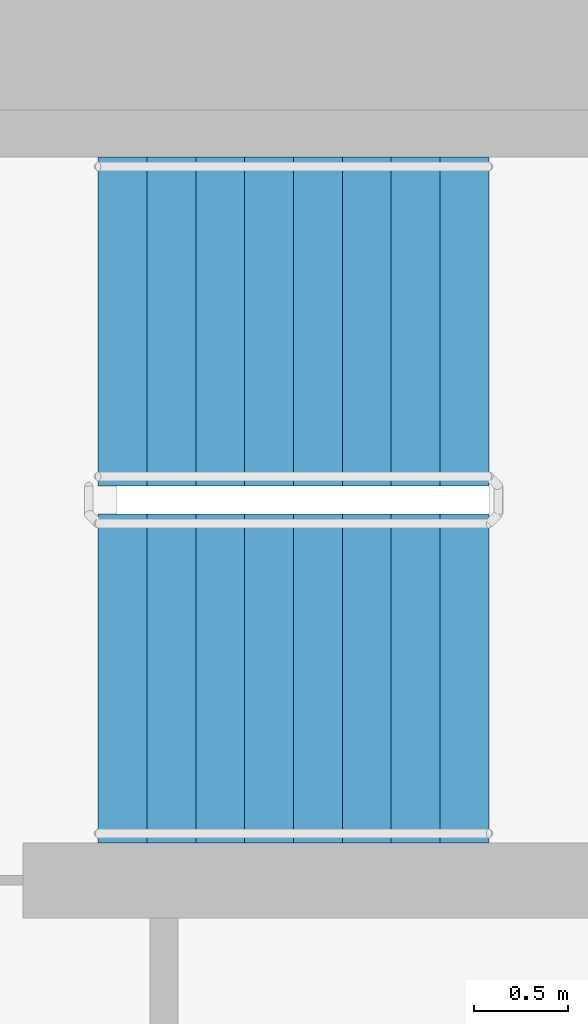
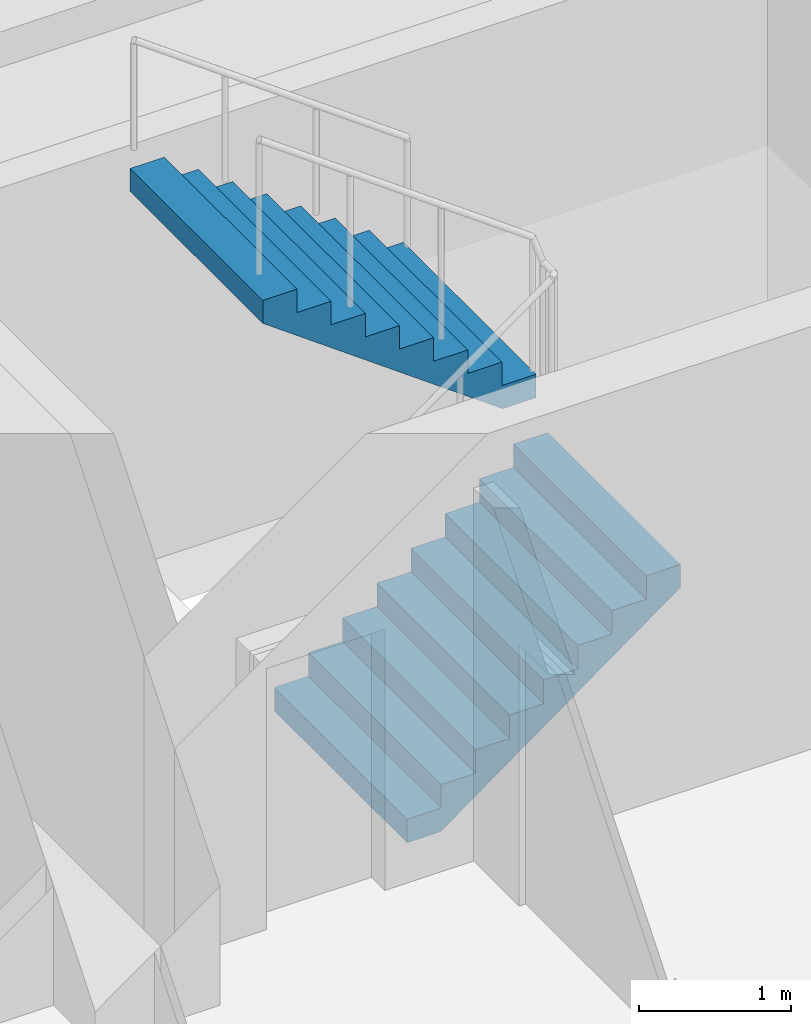
# One storey, part 16 of 21: 2 stair flights, 1 element without a shape of its own.
"""IFC4 building model written with IfcOpenShell, lengths in metres."""

from ifc_helpers import new_model, si_unit, direction, frame, origin, place, context, subcontext, project, spatial, faceted_brep, material, type_object, element, aggregate, save


model = new_model("IFC4")

# Units and contexts
model_context = context("Model", 3, precision=1e-05, world=origin(), true_north=direction((0.0, 1.0)))
body_context = subcontext(model_context, "Body", "Model", "MODEL_VIEW")
ifc_project = project(units=[si_unit("LENGTHUNIT", "METRE"), si_unit("AREAUNIT", "SQUARE_METRE"), si_unit("VOLUMEUNIT", "CUBIC_METRE"), si_unit("PLANEANGLEUNIT", "RADIAN"), si_unit("MASSUNIT", "GRAM", prefix="KILO")], contexts=[model_context])

# Site, building, storey
site_placement = place(None, origin())
site = spatial("IfcSite", under=ifc_project, at=site_placement, CompositionType="ELEMENT")
building_placement = place(site_placement, origin())
building = spatial("IfcBuilding", under=site, at=building_placement, Name="Ipe Terrace Towers", CompositionType="ELEMENT")
storey_placement = place(building_placement, frame((0.0, 0.0, 83.39990234375)))
storey = spatial("IfcBuildingStorey", under=building, at=storey_placement, Name="L22", CompositionType="ELEMENT", Elevation=83.39990234375)

# Stair, stair flights
ifc_material_1 = material(Name="Concrete C30/37", Category="concrete")
stair_type = type_object("IfcStairType", Name="Protected exit stair", PredefinedType="HALF_TURN_STAIR", material=ifc_material_1)
stair_placement = place(storey_placement, origin())
stair = element("IfcStair", 1, at=stair_placement, inside=storey, type_object=stair_type, Name="L22 Exit stair T1-C1", PredefinedType="HALF_TURN_STAIR")
ifc_material_2 = material(Name="Concrete C30/37", Category="concrete")
stair_flight_type = type_object("IfcStairFlightType", Name="Exit stair flight 1750", PredefinedType="STRAIGHT", material=ifc_material_2)
stair_flight_1_placement = place(storey_placement, frame((-26.300048828125, 2.77490234375, 0.0), z_axis=(0.0, 0.0, 1.0), x_axis=(1.0, 0.0, 0.0)))
stair_flight_1 = element("IfcStairFlight", 2, at=stair_flight_1_placement, type_object=stair_flight_type, Name="T1-ST1 flight 1", NumberOfRisers=9, NumberOfTreads=8, PredefinedType="STRAIGHT", RiserHeight=0.188888889, TreadLength=0.26, context=body_context, shape_type="Brep", body=[
    faceted_brep([(0.255126953125, -0.875, 0.0), (2.080078125, -0.875, 1.325927734375), (2.080078125, -0.875, 1.51123046875), (1.820068359375, -0.875, 1.51123046875), (1.820068359375, -0.875, 1.322265625), (1.56005859375, -0.875, 1.322265625), (1.56005859375, -0.875, 1.13330078125), (1.300048828125, -0.875, 1.13330078125), (1.300048828125, -0.875, 0.9443359375), (1.0400390625, -0.875, 0.9443359375), (1.0400390625, -0.875, 0.755615234375), (0.780029296875, -0.875, 0.755615234375), (0.780029296875, -0.875, 0.566650390625), (0.52001953125, -0.875, 0.566650390625), (0.52001953125, -0.875, 0.377685546875), (0.260009765625, -0.875, 0.377685546875), (0.260009765625, -0.875, 0.18896484375), (0.0, -0.875, 0.18896484375), (0.0, -0.875, 0.0), (0.0, 0.875, 0.0), (0.0, 0.875, 0.18896484375), (0.260009765625, 0.875, 0.18896484375), (0.260009765625, 0.875, 0.377685546875), (0.52001953125, 0.875, 0.377685546875), (0.52001953125, 0.875, 0.566650390625), (0.780029296875, 0.875, 0.566650390625), (0.780029296875, 0.875, 0.755615234375), (1.0400390625, 0.875, 0.755615234375), (1.0400390625, 0.875, 0.9443359375), (1.300048828125, 0.875, 0.9443359375), (1.300048828125, 0.875, 1.13330078125), (1.56005859375, 0.875, 1.13330078125), (1.56005859375, 0.875, 1.322265625), (1.820068359375, 0.875, 1.322265625), (1.820068359375, 0.875, 1.51123046875), (2.080078125, 0.875, 1.51123046875), (2.080078125, 0.875, 1.325927734375), (0.255126953125, 0.875, 0.0), (0.0, -0.300048828125, 0.18896484375), (0.0, -0.1201171875, 0.18896484375), (0.0, -0.06005859375, 0.18896484375), (0.0, -0.030029296875, 0.18896484375), (0.0, -0.010009765625, 0.18896484375), (0.0, 0.0, 0.18896484375), (0.0, 0.010009765625, 0.18896484375), (0.0, 0.030029296875, 0.18896484375), (0.0, 0.06005859375, 0.18896484375), (0.0, 0.1201171875, 0.18896484375), (0.0, 0.300048828125, 0.18896484375), (0.0, 0.300048828125, 0.0), (0.0, 0.1201171875, 0.0), (0.0, 0.06005859375, 0.0), (0.0, 0.030029296875, 0.0), (0.0, 0.010009765625, 0.0), (0.0, 0.0, 0.0), (0.0, -0.010009765625, 0.0), (0.0, -0.030029296875, 0.0), (0.0, -0.06005859375, 0.0), (0.0, -0.1201171875, 0.0), (0.0, -0.300048828125, 0.0), (0.260009765625, -0.300048828125, 0.18896484375), (0.260009765625, -0.1201171875, 0.18896484375), (0.260009765625, -0.06005859375, 0.18896484375), (0.260009765625, -0.030029296875, 0.18896484375), (0.260009765625, -0.010009765625, 0.18896484375), (0.260009765625, 0.0, 0.18896484375), (0.260009765625, 0.010009765625, 0.18896484375), (0.260009765625, 0.030029296875, 0.18896484375), (0.260009765625, 0.06005859375, 0.18896484375), (0.260009765625, 0.1201171875, 0.18896484375), (0.260009765625, 0.300048828125, 0.18896484375), (0.260009765625, -0.300048828125, 0.377685546875), (0.260009765625, -0.1201171875, 0.377685546875), (0.260009765625, -0.06005859375, 0.377685546875), (0.260009765625, -0.030029296875, 0.377685546875), (0.260009765625, -0.010009765625, 0.377685546875), (0.260009765625, 0.0, 0.377685546875), (0.260009765625, 0.010009765625, 0.377685546875), (0.260009765625, 0.030029296875, 0.377685546875), (0.260009765625, 0.06005859375, 0.377685546875), (0.260009765625, 0.1201171875, 0.377685546875), (0.260009765625, 0.300048828125, 0.377685546875), (0.52001953125, -0.300048828125, 0.377685546875), (0.52001953125, -0.1201171875, 0.377685546875), (0.52001953125, -0.06005859375, 0.377685546875), (0.52001953125, -0.030029296875, 0.377685546875), (0.52001953125, -0.010009765625, 0.377685546875), (0.52001953125, 0.0, 0.377685546875), (0.52001953125, 0.010009765625, 0.377685546875), (0.52001953125, 0.030029296875, 0.377685546875), (0.52001953125, 0.06005859375, 0.377685546875), (0.52001953125, 0.1201171875, 0.377685546875), (0.52001953125, 0.300048828125, 0.377685546875), (0.52001953125, -0.300048828125, 0.566650390625), (0.52001953125, -0.1201171875, 0.566650390625), (0.52001953125, -0.06005859375, 0.566650390625), (0.52001953125, -0.030029296875, 0.566650390625), (0.52001953125, -0.010009765625, 0.566650390625), (0.52001953125, 0.0, 0.566650390625), (0.52001953125, 0.010009765625, 0.566650390625), (0.52001953125, 0.030029296875, 0.566650390625), (0.52001953125, 0.06005859375, 0.566650390625), (0.52001953125, 0.1201171875, 0.566650390625), (0.52001953125, 0.300048828125, 0.566650390625), (0.780029296875, -0.300048828125, 0.566650390625), (0.780029296875, -0.1201171875, 0.566650390625), (0.780029296875, -0.06005859375, 0.566650390625), (0.780029296875, -0.030029296875, 0.566650390625), (0.780029296875, -0.010009765625, 0.566650390625), (0.780029296875, 0.0, 0.566650390625), (0.780029296875, 0.010009765625, 0.566650390625), (0.780029296875, 0.030029296875, 0.566650390625), (0.780029296875, 0.06005859375, 0.566650390625), (0.780029296875, 0.1201171875, 0.566650390625), (0.780029296875, 0.300048828125, 0.566650390625), (0.780029296875, -0.300048828125, 0.755615234375), (0.780029296875, -0.1201171875, 0.755615234375), (0.780029296875, -0.06005859375, 0.755615234375), (0.780029296875, -0.030029296875, 0.755615234375), (0.780029296875, -0.010009765625, 0.755615234375), (0.780029296875, 0.0, 0.755615234375), (0.780029296875, 0.010009765625, 0.755615234375), (0.780029296875, 0.030029296875, 0.755615234375), (0.780029296875, 0.06005859375, 0.755615234375), (0.780029296875, 0.1201171875, 0.755615234375), (0.780029296875, 0.300048828125, 0.755615234375), (1.0400390625, -0.300048828125, 0.755615234375), (1.0400390625, -0.1201171875, 0.755615234375), (1.0400390625, -0.06005859375, 0.755615234375), (1.0400390625, -0.030029296875, 0.755615234375), (1.0400390625, -0.010009765625, 0.755615234375), (1.0400390625, 0.0, 0.755615234375), (1.0400390625, 0.010009765625, 0.755615234375), (1.0400390625, 0.030029296875, 0.755615234375), (1.0400390625, 0.06005859375, 0.755615234375), (1.0400390625, 0.1201171875, 0.755615234375), (1.0400390625, 0.300048828125, 0.755615234375), (1.0400390625, -0.300048828125, 0.9443359375), (1.0400390625, -0.1201171875, 0.9443359375), (1.0400390625, -0.06005859375, 0.9443359375), (1.0400390625, -0.030029296875, 0.9443359375), (1.0400390625, -0.010009765625, 0.9443359375), (1.0400390625, 0.0, 0.9443359375), (1.0400390625, 0.010009765625, 0.9443359375), (1.0400390625, 0.030029296875, 0.9443359375), (1.0400390625, 0.06005859375, 0.9443359375), (1.0400390625, 0.1201171875, 0.9443359375), (1.0400390625, 0.300048828125, 0.9443359375), (1.300048828125, -0.300048828125, 0.9443359375), (1.300048828125, -0.1201171875, 0.9443359375), (1.300048828125, -0.06005859375, 0.9443359375), (1.300048828125, -0.030029296875, 0.9443359375), (1.300048828125, -0.010009765625, 0.9443359375), (1.300048828125, 0.0, 0.9443359375), (1.300048828125, 0.010009765625, 0.9443359375), (1.300048828125, 0.030029296875, 0.9443359375), (1.300048828125, 0.06005859375, 0.9443359375), (1.300048828125, 0.1201171875, 0.9443359375), (1.300048828125, 0.300048828125, 0.9443359375), (1.300048828125, -0.300048828125, 1.13330078125), (1.300048828125, -0.1201171875, 1.13330078125), (1.300048828125, -0.06005859375, 1.13330078125), (1.300048828125, -0.030029296875, 1.13330078125), (1.300048828125, -0.010009765625, 1.13330078125), (1.300048828125, 0.0, 1.13330078125), (1.300048828125, 0.010009765625, 1.13330078125), (1.300048828125, 0.030029296875, 1.13330078125), (1.300048828125, 0.06005859375, 1.13330078125), (1.300048828125, 0.1201171875, 1.13330078125), (1.300048828125, 0.300048828125, 1.13330078125), (1.56005859375, -0.300048828125, 1.13330078125), (1.56005859375, -0.1201171875, 1.13330078125), (1.56005859375, -0.06005859375, 1.13330078125), (1.56005859375, -0.030029296875, 1.13330078125), (1.56005859375, -0.010009765625, 1.13330078125), (1.56005859375, 0.0, 1.13330078125), (1.56005859375, 0.010009765625, 1.13330078125), (1.56005859375, 0.030029296875, 1.13330078125), (1.56005859375, 0.06005859375, 1.13330078125), (1.56005859375, 0.1201171875, 1.13330078125), (1.56005859375, 0.300048828125, 1.13330078125), (1.56005859375, -0.300048828125, 1.322265625), (1.56005859375, -0.1201171875, 1.322265625), (1.56005859375, -0.06005859375, 1.322265625), (1.56005859375, -0.030029296875, 1.322265625), (1.56005859375, -0.010009765625, 1.322265625), (1.56005859375, 0.0, 1.322265625), (1.56005859375, 0.010009765625, 1.322265625), (1.56005859375, 0.030029296875, 1.322265625), (1.56005859375, 0.06005859375, 1.322265625), (1.56005859375, 0.1201171875, 1.322265625), (1.56005859375, 0.300048828125, 1.322265625), (1.820068359375, -0.300048828125, 1.322265625), (1.820068359375, -0.1201171875, 1.322265625), (1.820068359375, -0.06005859375, 1.322265625), (1.820068359375, -0.030029296875, 1.322265625), (1.820068359375, -0.010009765625, 1.322265625), (1.820068359375, 0.0, 1.322265625), (1.820068359375, 0.010009765625, 1.322265625), (1.820068359375, 0.030029296875, 1.322265625), (1.820068359375, 0.06005859375, 1.322265625), (1.820068359375, 0.1201171875, 1.322265625), (1.820068359375, 0.300048828125, 1.322265625), (1.820068359375, -0.300048828125, 1.51123046875), (1.820068359375, -0.1201171875, 1.51123046875), (1.820068359375, -0.06005859375, 1.51123046875), (1.820068359375, -0.030029296875, 1.51123046875), (1.820068359375, -0.010009765625, 1.51123046875), (1.820068359375, 0.0, 1.51123046875), (1.820068359375, 0.010009765625, 1.51123046875), (1.820068359375, 0.030029296875, 1.51123046875), (1.820068359375, 0.06005859375, 1.51123046875), (1.820068359375, 0.1201171875, 1.51123046875), (1.820068359375, 0.300048828125, 1.51123046875), (2.080078125, -0.300048828125, 1.51123046875), (2.080078125, -0.1201171875, 1.51123046875), (2.080078125, -0.06005859375, 1.51123046875), (2.080078125, -0.030029296875, 1.51123046875), (2.080078125, -0.010009765625, 1.51123046875), (2.080078125, 0.0, 1.51123046875), (2.080078125, 0.010009765625, 1.51123046875), (2.080078125, 0.030029296875, 1.51123046875), (2.080078125, 0.06005859375, 1.51123046875), (2.080078125, 0.1201171875, 1.51123046875), (2.080078125, 0.300048828125, 1.51123046875), (2.080078125, -0.300048828125, 1.325927734375), (2.080078125, -0.1201171875, 1.325927734375), (2.080078125, -0.06005859375, 1.325927734375), (2.080078125, -0.030029296875, 1.325927734375), (2.080078125, -0.010009765625, 1.325927734375), (2.080078125, 0.0, 1.325927734375), (2.080078125, 0.010009765625, 1.325927734375), (2.080078125, 0.030029296875, 1.325927734375), (2.080078125, 0.06005859375, 1.325927734375), (2.080078125, 0.1201171875, 1.325927734375), (2.080078125, 0.300048828125, 1.325927734375), (0.255126953125, -0.300048828125, 0.0), (0.255126953125, -0.1201171875, 0.0), (0.255126953125, -0.06005859375, 0.0), (0.255126953125, -0.030029296875, 0.0), (0.255126953125, -0.010009765625, 0.0), (0.255126953125, 0.0, 0.0), (0.255126953125, 0.010009765625, 0.0), (0.255126953125, 0.030029296875, 0.0), (0.255126953125, 0.06005859375, 0.0), (0.255126953125, 0.1201171875, 0.0), (0.255126953125, 0.300048828125, 0.0)], [[[0, 1, 2, 3, 4, 5, 6, 7, 8, 9, 10, 11, 12, 13, 14, 15, 16, 17, 18]], [[19, 20, 21, 22, 23, 24, 25, 26, 27, 28, 29, 30, 31, 32, 33, 34, 35, 36, 37]], [[17, 38, 39, 40, 41, 42, 43, 44, 45, 46, 47, 48, 20, 19, 49, 50, 51, 52, 53, 54, 55, 56, 57, 58, 59, 18]], [[16, 60, 61, 62, 63, 64, 65, 66, 67, 68, 69, 70, 21, 20, 48, 47, 46, 45, 44, 43, 42, 41, 40, 39, 38, 17]], [[15, 71, 72, 73, 74, 75, 76, 77, 78, 79, 80, 81, 22, 21, 70, 69, 68, 67, 66, 65, 64, 63, 62, 61, 60, 16]], [[14, 82, 83, 84, 85, 86, 87, 88, 89, 90, 91, 92, 23, 22, 81, 80, 79, 78, 77, 76, 75, 74, 73, 72, 71, 15]], [[13, 93, 94, 95, 96, 97, 98, 99, 100, 101, 102, 103, 24, 23, 92, 91, 90, 89, 88, 87, 86, 85, 84, 83, 82, 14]], [[12, 104, 105, 106, 107, 108, 109, 110, 111, 112, 113, 114, 25, 24, 103, 102, 101, 100, 99, 98, 97, 96, 95, 94, 93, 13]], [[11, 115, 116, 117, 118, 119, 120, 121, 122, 123, 124, 125, 26, 25, 114, 113, 112, 111, 110, 109, 108, 107, 106, 105, 104, 12]], [[10, 126, 127, 128, 129, 130, 131, 132, 133, 134, 135, 136, 27, 26, 125, 124, 123, 122, 121, 120, 119, 118, 117, 116, 115, 11]], [[9, 137, 138, 139, 140, 141, 142, 143, 144, 145, 146, 147, 28, 27, 136, 135, 134, 133, 132, 131, 130, 129, 128, 127, 126, 10]], [[8, 148, 149, 150, 151, 152, 153, 154, 155, 156, 157, 158, 29, 28, 147, 146, 145, 144, 143, 142, 141, 140, 139, 138, 137, 9]], [[7, 159, 160, 161, 162, 163, 164, 165, 166, 167, 168, 169, 30, 29, 158, 157, 156, 155, 154, 153, 152, 151, 150, 149, 148, 8]], [[6, 170, 171, 172, 173, 174, 175, 176, 177, 178, 179, 180, 31, 30, 169, 168, 167, 166, 165, 164, 163, 162, 161, 160, 159, 7]], [[5, 181, 182, 183, 184, 185, 186, 187, 188, 189, 190, 191, 32, 31, 180, 179, 178, 177, 176, 175, 174, 173, 172, 171, 170, 6]], [[4, 192, 193, 194, 195, 196, 197, 198, 199, 200, 201, 202, 33, 32, 191, 190, 189, 188, 187, 186, 185, 184, 183, 182, 181, 5]], [[3, 203, 204, 205, 206, 207, 208, 209, 210, 211, 212, 213, 34, 33, 202, 201, 200, 199, 198, 197, 196, 195, 194, 193, 192, 4]], [[2, 214, 215, 216, 217, 218, 219, 220, 221, 222, 223, 224, 35, 34, 213, 212, 211, 210, 209, 208, 207, 206, 205, 204, 203, 3]], [[1, 225, 226, 227, 228, 229, 230, 231, 232, 233, 234, 235, 36, 35, 224, 223, 222, 221, 220, 219, 218, 217, 216, 215, 214, 2]], [[0, 236, 237, 238, 239, 240, 241, 242, 243, 244, 245, 246, 37, 36, 235, 234, 233, 232, 231, 230, 229, 228, 227, 226, 225, 1]], [[18, 59, 58, 57, 56, 55, 54, 53, 52, 51, 50, 49, 19, 37, 246, 245, 244, 243, 242, 241, 240, 239, 238, 237, 236, 0]]]),
])
stair_flight_2_placement = place(storey_placement, frame((-24.219970703125, 4.675048828125, 1.7001953125), z_axis=(0.0, 0.0, 1.0), x_axis=(-1.0, 0.0, 0.0)))
stair_flight_2 = element("IfcStairFlight", 3, at=stair_flight_2_placement, type_object=stair_flight_type, Name="T1-ST1 flight 2", NumberOfRisers=9, NumberOfTreads=8, PredefinedType="STRAIGHT", RiserHeight=0.188888889, TreadLength=0.26, context=body_context, shape_type="Brep", body=[
    faceted_brep([(0.255126953125, -0.875, 0.0), (2.080078125, -0.875, 1.325927734375), (2.080078125, -0.875, 1.51123046875), (1.820068359375, -0.875, 1.51123046875), (1.820068359375, -0.875, 1.322265625), (1.56005859375, -0.875, 1.322265625), (1.56005859375, -0.875, 1.13330078125), (1.300048828125, -0.875, 1.13330078125), (1.300048828125, -0.875, 0.9443359375), (1.0400390625, -0.875, 0.9443359375), (1.0400390625, -0.875, 0.755615234375), (0.780029296875, -0.875, 0.755615234375), (0.780029296875, -0.875, 0.566650390625), (0.52001953125, -0.875, 0.566650390625), (0.52001953125, -0.875, 0.377685546875), (0.260009765625, -0.875, 0.377685546875), (0.260009765625, -0.875, 0.18896484375), (0.0, -0.875, 0.18896484375), (0.0, -0.875, 0.0), (0.0, 0.875, 0.0), (0.0, 0.875, 0.18896484375), (0.260009765625, 0.875, 0.18896484375), (0.260009765625, 0.875, 0.377685546875), (0.52001953125, 0.875, 0.377685546875), (0.52001953125, 0.875, 0.566650390625), (0.780029296875, 0.875, 0.566650390625), (0.780029296875, 0.875, 0.755615234375), (1.0400390625, 0.875, 0.755615234375), (1.0400390625, 0.875, 0.9443359375), (1.300048828125, 0.875, 0.9443359375), (1.300048828125, 0.875, 1.13330078125), (1.56005859375, 0.875, 1.13330078125), (1.56005859375, 0.875, 1.322265625), (1.820068359375, 0.875, 1.322265625), (1.820068359375, 0.875, 1.51123046875), (2.080078125, 0.875, 1.51123046875), (2.080078125, 0.875, 1.325927734375), (0.255126953125, 0.875, 0.0), (0.0, -0.300048828125, 0.18896484375), (0.0, -0.1201171875, 0.18896484375), (0.0, -0.06005859375, 0.18896484375), (0.0, -0.030029296875, 0.18896484375), (0.0, -0.010009765625, 0.18896484375), (0.0, 0.0, 0.18896484375), (0.0, 0.010009765625, 0.18896484375), (0.0, 0.030029296875, 0.18896484375), (0.0, 0.06005859375, 0.18896484375), (0.0, 0.1201171875, 0.18896484375), (0.0, 0.300048828125, 0.18896484375), (0.0, 0.300048828125, 0.0), (0.0, 0.1201171875, 0.0), (0.0, 0.06005859375, 0.0), (0.0, 0.030029296875, 0.0), (0.0, 0.010009765625, 0.0), (0.0, 0.0, 0.0), (0.0, -0.010009765625, 0.0), (0.0, -0.030029296875, 0.0), (0.0, -0.06005859375, 0.0), (0.0, -0.1201171875, 0.0), (0.0, -0.300048828125, 0.0), (0.260009765625, -0.300048828125, 0.18896484375), (0.260009765625, -0.1201171875, 0.18896484375), (0.260009765625, -0.06005859375, 0.18896484375), (0.260009765625, -0.030029296875, 0.18896484375), (0.260009765625, -0.010009765625, 0.18896484375), (0.260009765625, 0.0, 0.18896484375), (0.260009765625, 0.010009765625, 0.18896484375), (0.260009765625, 0.030029296875, 0.18896484375), (0.260009765625, 0.06005859375, 0.18896484375), (0.260009765625, 0.1201171875, 0.18896484375), (0.260009765625, 0.300048828125, 0.18896484375), (0.260009765625, -0.300048828125, 0.377685546875), (0.260009765625, -0.1201171875, 0.377685546875), (0.260009765625, -0.06005859375, 0.377685546875), (0.260009765625, -0.030029296875, 0.377685546875), (0.260009765625, -0.010009765625, 0.377685546875), (0.260009765625, 0.0, 0.377685546875), (0.260009765625, 0.010009765625, 0.377685546875), (0.260009765625, 0.030029296875, 0.377685546875), (0.260009765625, 0.06005859375, 0.377685546875), (0.260009765625, 0.1201171875, 0.377685546875), (0.260009765625, 0.300048828125, 0.377685546875), (0.52001953125, -0.300048828125, 0.377685546875), (0.52001953125, -0.1201171875, 0.377685546875), (0.52001953125, -0.06005859375, 0.377685546875), (0.52001953125, -0.030029296875, 0.377685546875), (0.52001953125, -0.010009765625, 0.377685546875), (0.52001953125, 0.0, 0.377685546875), (0.52001953125, 0.010009765625, 0.377685546875), (0.52001953125, 0.030029296875, 0.377685546875), (0.52001953125, 0.06005859375, 0.377685546875), (0.52001953125, 0.1201171875, 0.377685546875), (0.52001953125, 0.300048828125, 0.377685546875), (0.52001953125, -0.300048828125, 0.566650390625), (0.52001953125, -0.1201171875, 0.566650390625), (0.52001953125, -0.06005859375, 0.566650390625), (0.52001953125, -0.030029296875, 0.566650390625), (0.52001953125, -0.010009765625, 0.566650390625), (0.52001953125, 0.0, 0.566650390625), (0.52001953125, 0.010009765625, 0.566650390625), (0.52001953125, 0.030029296875, 0.566650390625), (0.52001953125, 0.06005859375, 0.566650390625), (0.52001953125, 0.1201171875, 0.566650390625), (0.52001953125, 0.300048828125, 0.566650390625), (0.780029296875, -0.300048828125, 0.566650390625), (0.780029296875, -0.1201171875, 0.566650390625), (0.780029296875, -0.06005859375, 0.566650390625), (0.780029296875, -0.030029296875, 0.566650390625), (0.780029296875, -0.010009765625, 0.566650390625), (0.780029296875, 0.0, 0.566650390625), (0.780029296875, 0.010009765625, 0.566650390625), (0.780029296875, 0.030029296875, 0.566650390625), (0.780029296875, 0.06005859375, 0.566650390625), (0.780029296875, 0.1201171875, 0.566650390625), (0.780029296875, 0.300048828125, 0.566650390625), (0.780029296875, -0.300048828125, 0.755615234375), (0.780029296875, -0.1201171875, 0.755615234375), (0.780029296875, -0.06005859375, 0.755615234375), (0.780029296875, -0.030029296875, 0.755615234375), (0.780029296875, -0.010009765625, 0.755615234375), (0.780029296875, 0.0, 0.755615234375), (0.780029296875, 0.010009765625, 0.755615234375), (0.780029296875, 0.030029296875, 0.755615234375), (0.780029296875, 0.06005859375, 0.755615234375), (0.780029296875, 0.1201171875, 0.755615234375), (0.780029296875, 0.300048828125, 0.755615234375), (1.0400390625, -0.300048828125, 0.755615234375), (1.0400390625, -0.1201171875, 0.755615234375), (1.0400390625, -0.06005859375, 0.755615234375), (1.0400390625, -0.030029296875, 0.755615234375), (1.0400390625, -0.010009765625, 0.755615234375), (1.0400390625, 0.0, 0.755615234375), (1.0400390625, 0.010009765625, 0.755615234375), (1.0400390625, 0.030029296875, 0.755615234375), (1.0400390625, 0.06005859375, 0.755615234375), (1.0400390625, 0.1201171875, 0.755615234375), (1.0400390625, 0.300048828125, 0.755615234375), (1.0400390625, -0.300048828125, 0.9443359375), (1.0400390625, -0.1201171875, 0.9443359375), (1.0400390625, -0.06005859375, 0.9443359375), (1.0400390625, -0.030029296875, 0.9443359375), (1.0400390625, -0.010009765625, 0.9443359375), (1.0400390625, 0.0, 0.9443359375), (1.0400390625, 0.010009765625, 0.9443359375), (1.0400390625, 0.030029296875, 0.9443359375), (1.0400390625, 0.06005859375, 0.9443359375), (1.0400390625, 0.1201171875, 0.9443359375), (1.0400390625, 0.300048828125, 0.9443359375), (1.300048828125, -0.300048828125, 0.9443359375), (1.300048828125, -0.1201171875, 0.9443359375), (1.300048828125, -0.06005859375, 0.9443359375), (1.300048828125, -0.030029296875, 0.9443359375), (1.300048828125, -0.010009765625, 0.9443359375), (1.300048828125, 0.0, 0.9443359375), (1.300048828125, 0.010009765625, 0.9443359375), (1.300048828125, 0.030029296875, 0.9443359375), (1.300048828125, 0.06005859375, 0.9443359375), (1.300048828125, 0.1201171875, 0.9443359375), (1.300048828125, 0.300048828125, 0.9443359375), (1.300048828125, -0.300048828125, 1.13330078125), (1.300048828125, -0.1201171875, 1.13330078125), (1.300048828125, -0.06005859375, 1.13330078125), (1.300048828125, -0.030029296875, 1.13330078125), (1.300048828125, -0.010009765625, 1.13330078125), (1.300048828125, 0.0, 1.13330078125), (1.300048828125, 0.010009765625, 1.13330078125), (1.300048828125, 0.030029296875, 1.13330078125), (1.300048828125, 0.06005859375, 1.13330078125), (1.300048828125, 0.1201171875, 1.13330078125), (1.300048828125, 0.300048828125, 1.13330078125), (1.56005859375, -0.300048828125, 1.13330078125), (1.56005859375, -0.1201171875, 1.13330078125), (1.56005859375, -0.06005859375, 1.13330078125), (1.56005859375, -0.030029296875, 1.13330078125), (1.56005859375, -0.010009765625, 1.13330078125), (1.56005859375, 0.0, 1.13330078125), (1.56005859375, 0.010009765625, 1.13330078125), (1.56005859375, 0.030029296875, 1.13330078125), (1.56005859375, 0.06005859375, 1.13330078125), (1.56005859375, 0.1201171875, 1.13330078125), (1.56005859375, 0.300048828125, 1.13330078125), (1.56005859375, -0.300048828125, 1.322265625), (1.56005859375, -0.1201171875, 1.322265625), (1.56005859375, -0.06005859375, 1.322265625), (1.56005859375, -0.030029296875, 1.322265625), (1.56005859375, -0.010009765625, 1.322265625), (1.56005859375, 0.0, 1.322265625), (1.56005859375, 0.010009765625, 1.322265625), (1.56005859375, 0.030029296875, 1.322265625), (1.56005859375, 0.06005859375, 1.322265625), (1.56005859375, 0.1201171875, 1.322265625), (1.56005859375, 0.300048828125, 1.322265625), (1.820068359375, -0.300048828125, 1.322265625), (1.820068359375, -0.1201171875, 1.322265625), (1.820068359375, -0.06005859375, 1.322265625), (1.820068359375, -0.030029296875, 1.322265625), (1.820068359375, -0.010009765625, 1.322265625), (1.820068359375, 0.0, 1.322265625), (1.820068359375, 0.010009765625, 1.322265625), (1.820068359375, 0.030029296875, 1.322265625), (1.820068359375, 0.06005859375, 1.322265625), (1.820068359375, 0.1201171875, 1.322265625), (1.820068359375, 0.300048828125, 1.322265625), (1.820068359375, -0.300048828125, 1.51123046875), (1.820068359375, -0.1201171875, 1.51123046875), (1.820068359375, -0.06005859375, 1.51123046875), (1.820068359375, -0.030029296875, 1.51123046875), (1.820068359375, -0.010009765625, 1.51123046875), (1.820068359375, 0.0, 1.51123046875), (1.820068359375, 0.010009765625, 1.51123046875), (1.820068359375, 0.030029296875, 1.51123046875), (1.820068359375, 0.06005859375, 1.51123046875), (1.820068359375, 0.1201171875, 1.51123046875), (1.820068359375, 0.300048828125, 1.51123046875), (2.080078125, -0.300048828125, 1.51123046875), (2.080078125, -0.1201171875, 1.51123046875), (2.080078125, -0.06005859375, 1.51123046875), (2.080078125, -0.030029296875, 1.51123046875), (2.080078125, -0.010009765625, 1.51123046875), (2.080078125, 0.0, 1.51123046875), (2.080078125, 0.010009765625, 1.51123046875), (2.080078125, 0.030029296875, 1.51123046875), (2.080078125, 0.06005859375, 1.51123046875), (2.080078125, 0.1201171875, 1.51123046875), (2.080078125, 0.300048828125, 1.51123046875), (2.080078125, -0.300048828125, 1.325927734375), (2.080078125, -0.1201171875, 1.325927734375), (2.080078125, -0.06005859375, 1.325927734375), (2.080078125, -0.030029296875, 1.325927734375), (2.080078125, -0.010009765625, 1.325927734375), (2.080078125, 0.0, 1.325927734375), (2.080078125, 0.010009765625, 1.325927734375), (2.080078125, 0.030029296875, 1.325927734375), (2.080078125, 0.06005859375, 1.325927734375), (2.080078125, 0.1201171875, 1.325927734375), (2.080078125, 0.300048828125, 1.325927734375), (0.255126953125, -0.300048828125, 0.0), (0.255126953125, -0.1201171875, 0.0), (0.255126953125, -0.06005859375, 0.0), (0.255126953125, -0.030029296875, 0.0), (0.255126953125, -0.010009765625, 0.0), (0.255126953125, 0.0, 0.0), (0.255126953125, 0.010009765625, 0.0), (0.255126953125, 0.030029296875, 0.0), (0.255126953125, 0.06005859375, 0.0), (0.255126953125, 0.1201171875, 0.0), (0.255126953125, 0.300048828125, 0.0)], [[[0, 1, 2, 3, 4, 5, 6, 7, 8, 9, 10, 11, 12, 13, 14, 15, 16, 17, 18]], [[19, 20, 21, 22, 23, 24, 25, 26, 27, 28, 29, 30, 31, 32, 33, 34, 35, 36, 37]], [[17, 38, 39, 40, 41, 42, 43, 44, 45, 46, 47, 48, 20, 19, 49, 50, 51, 52, 53, 54, 55, 56, 57, 58, 59, 18]], [[16, 60, 61, 62, 63, 64, 65, 66, 67, 68, 69, 70, 21, 20, 48, 47, 46, 45, 44, 43, 42, 41, 40, 39, 38, 17]], [[15, 71, 72, 73, 74, 75, 76, 77, 78, 79, 80, 81, 22, 21, 70, 69, 68, 67, 66, 65, 64, 63, 62, 61, 60, 16]], [[14, 82, 83, 84, 85, 86, 87, 88, 89, 90, 91, 92, 23, 22, 81, 80, 79, 78, 77, 76, 75, 74, 73, 72, 71, 15]], [[13, 93, 94, 95, 96, 97, 98, 99, 100, 101, 102, 103, 24, 23, 92, 91, 90, 89, 88, 87, 86, 85, 84, 83, 82, 14]], [[12, 104, 105, 106, 107, 108, 109, 110, 111, 112, 113, 114, 25, 24, 103, 102, 101, 100, 99, 98, 97, 96, 95, 94, 93, 13]], [[11, 115, 116, 117, 118, 119, 120, 121, 122, 123, 124, 125, 26, 25, 114, 113, 112, 111, 110, 109, 108, 107, 106, 105, 104, 12]], [[10, 126, 127, 128, 129, 130, 131, 132, 133, 134, 135, 136, 27, 26, 125, 124, 123, 122, 121, 120, 119, 118, 117, 116, 115, 11]], [[9, 137, 138, 139, 140, 141, 142, 143, 144, 145, 146, 147, 28, 27, 136, 135, 134, 133, 132, 131, 130, 129, 128, 127, 126, 10]], [[8, 148, 149, 150, 151, 152, 153, 154, 155, 156, 157, 158, 29, 28, 147, 146, 145, 144, 143, 142, 141, 140, 139, 138, 137, 9]], [[7, 159, 160, 161, 162, 163, 164, 165, 166, 167, 168, 169, 30, 29, 158, 157, 156, 155, 154, 153, 152, 151, 150, 149, 148, 8]], [[6, 170, 171, 172, 173, 174, 175, 176, 177, 178, 179, 180, 31, 30, 169, 168, 167, 166, 165, 164, 163, 162, 161, 160, 159, 7]], [[5, 181, 182, 183, 184, 185, 186, 187, 188, 189, 190, 191, 32, 31, 180, 179, 178, 177, 176, 175, 174, 173, 172, 171, 170, 6]], [[4, 192, 193, 194, 195, 196, 197, 198, 199, 200, 201, 202, 33, 32, 191, 190, 189, 188, 187, 186, 185, 184, 183, 182, 181, 5]], [[3, 203, 204, 205, 206, 207, 208, 209, 210, 211, 212, 213, 34, 33, 202, 201, 200, 199, 198, 197, 196, 195, 194, 193, 192, 4]], [[2, 214, 215, 216, 217, 218, 219, 220, 221, 222, 223, 224, 35, 34, 213, 212, 211, 210, 209, 208, 207, 206, 205, 204, 203, 3]], [[1, 225, 226, 227, 228, 229, 230, 231, 232, 233, 234, 235, 36, 35, 224, 223, 222, 221, 220, 219, 218, 217, 216, 215, 214, 2]], [[0, 236, 237, 238, 239, 240, 241, 242, 243, 244, 245, 246, 37, 36, 235, 234, 233, 232, 231, 230, 229, 228, 227, 226, 225, 1]], [[18, 59, 58, 57, 56, 55, 54, 53, 52, 51, 50, 49, 19, 37, 246, 245, 244, 243, 242, 241, 240, 239, 238, 237, 236, 0]]]),
])
aggregate(stair, [stair_flight_1, stair_flight_2])

save(model, "model.ifc")
